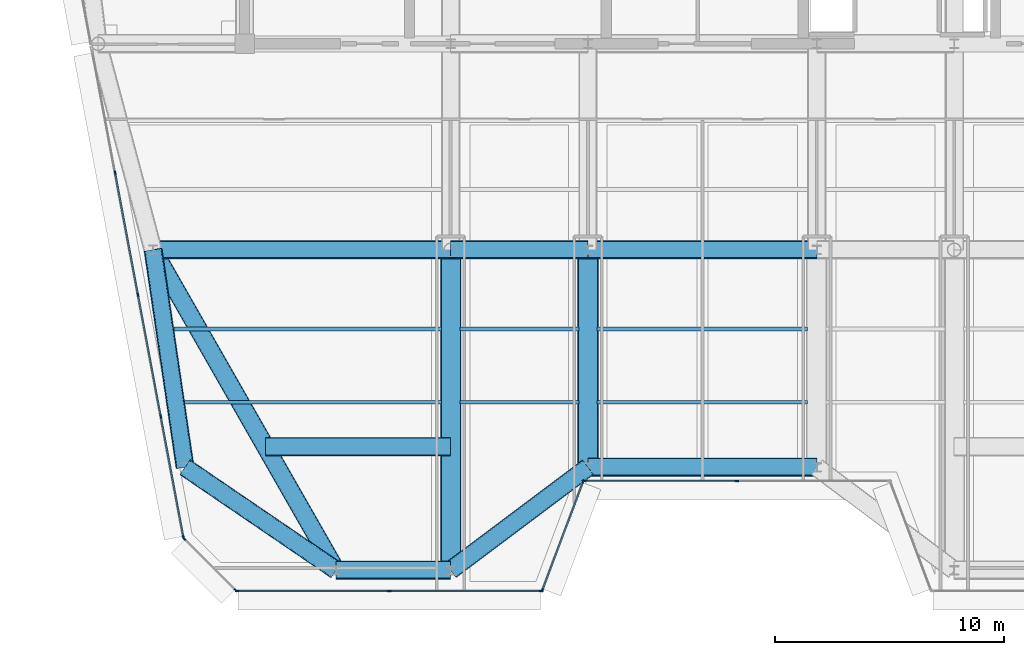
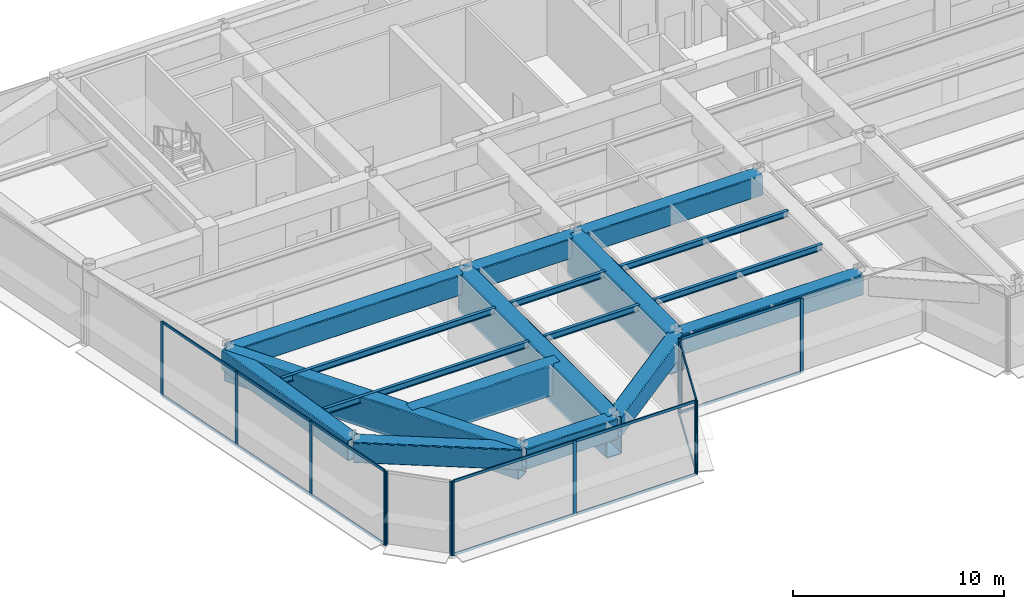
# One storey, part 3 of 20: 27 members, 18 beams, 5 elements without a shape of their own.
"""IFC4 building model written with IfcOpenShell, lengths in metres."""

from ifc_helpers import new_model, si_unit, direction, frame, origin, origin_2d, place, context, subcontext, project, spatial, rectangle, hollow_rectangle, i_section, extrude, source, transform, mapped, material, layer, layer_set, material_profile, profile_set, type_object, element, aggregate, save


model = new_model("IFC4")

# Units and contexts
model_context = context("Model", 3, precision=1e-05, world=origin(), true_north=direction((0.0, 1.0)))
body_context = subcontext(model_context, "Body", "Model", "MODEL_VIEW")
ifc_project = project(units=[si_unit("LENGTHUNIT", "METRE"), si_unit("AREAUNIT", "SQUARE_METRE"), si_unit("VOLUMEUNIT", "CUBIC_METRE"), si_unit("PLANEANGLEUNIT", "RADIAN"), si_unit("MASSUNIT", "GRAM", prefix="KILO")], contexts=[model_context])

# Site, building, storey
site_placement = place(None, origin())
site = spatial("IfcSite", under=ifc_project, at=site_placement, CompositionType="ELEMENT")
building_placement = place(site_placement, origin())
building = spatial("IfcBuilding", under=site, at=building_placement, Name="Vaeldorn Concourse Tower", CompositionType="ELEMENT")
storey_placement = place(building_placement, frame((0.0, 0.0, 299.199951171875)))
storey = spatial("IfcBuildingStorey", under=building, at=storey_placement, Name="L77", CompositionType="ELEMENT", Elevation=299.199951171875)

# Beams
ifc_material_1 = material(Name="Steel S460", Category="steel")
ifc_material_profile_1 = material_profile(ifc_material_1, hollow_rectangle(XDim=0.800048828125, YDim=1.199951171875, WallThickness=0.044921875, InnerFilletRadius=0.044921875, OuterFilletRadius=0.090087890625, at=origin_2d()), Name="RHS 1200x800x45")
ifc_profile_set_1 = profile_set([ifc_material_profile_1], Name="Steel S460")
beam_type_1 = type_object("IfcBeamType", Name="BM-TG-RHS1200", PredefinedType="BEAM", material=ifc_profile_set_1)
shared_shape_1 = source(origin(), body_context, "Body", "SweptSolid", [
    extrude(hollow_rectangle(XDim=0.800048828125, YDim=1.199951171875, WallThickness=0.044921875, InnerFilletRadius=0.044921875, OuterFilletRadius=0.090087890625, at=origin_2d()), origin(), (0.0, 0.0, 1.0), 6.0),
])
beam_1_placement = place(storey_placement, frame((23.0, 27.5, 3.699951171875), z_axis=(1.0, 0.0, 0.0), x_axis=(0.0, 1.0, 0.0)))
element("IfcBeam", 1, at=beam_1_placement, inside=storey, type_object=beam_type_1, Name="Beam BM-L77-C-TW1-C-TW2", PredefinedType="BEAM", context=body_context, shape_type="MappedRepresentation", body=[
    mapped(shared_shape_1, transform((0.0, 0.0, 0.0), scale=1.0)),
])
shared_shape_2 = source(origin(), body_context, "Body", "SweptSolid", [
    extrude(hollow_rectangle(XDim=0.800048828125, YDim=1.199951171875, WallThickness=0.044921875, InnerFilletRadius=0.044921875, OuterFilletRadius=0.090087890625, at=origin_2d()), origin(), (0.0, 0.0, 1.0), 10.0),
])
for number, where, z_axis, x_axis, name in (
    (2, (29.0, 27.5, 3.699951171875), (1.0, 0.0, 0.0), (0.0, 1.0, 0.0), "Beam BM-L77-C-TW2-C-TW3"),
    (3, (29.0, 18.0, 3.699951171875), (1.0, 0.0, 0.0), (0.0, 1.0, 0.0), "Beam BM-L77-C-SF3-C-SF4"),
):
    element("IfcBeam", number, at=place(storey_placement, frame(where, z_axis=z_axis, x_axis=x_axis)), inside=storey, type_object=beam_type_1, Name=name, PredefinedType="BEAM", context=body_context, shape_type="MappedRepresentation", body=[
        mapped(shared_shape_2, transform((0.0, 0.0, 0.0), scale=1.0)),
    ])
shared_shape_3 = source(origin(), body_context, "Body", "SweptSolid", [
    extrude(hollow_rectangle(XDim=0.800048828125, YDim=1.199951171875, WallThickness=0.044921875, InnerFilletRadius=0.044921875, OuterFilletRadius=0.090087890625, at=origin_2d()), origin(), (0.0, 0.0, 1.0), 13.0),
])
beam_2_placement = place(storey_placement, frame((10.0, 27.5, 3.699951171875), z_axis=(1.0, 0.0, 0.0), x_axis=(0.0, 1.0, 0.0)))
element("IfcBeam", 4, at=beam_2_placement, inside=storey, type_object=beam_type_1, Name="Beam BM-L77-C-FLW1-C-TW1", PredefinedType="BEAM", context=body_context, shape_type="MappedRepresentation", body=[
    mapped(shared_shape_3, transform((0.0, 0.0, 0.0), scale=1.0)),
])
shared_shape_4 = source(origin(), body_context, "Body", "SweptSolid", [
    extrude(hollow_rectangle(XDim=0.800048828125, YDim=1.199951171875, WallThickness=0.044921875, InnerFilletRadius=0.044921875, OuterFilletRadius=0.090087890625, at=origin_2d()), origin(), (0.0, 0.0, 1.0), 5.0),
])
beam_3_placement = place(storey_placement, frame((18.0, 13.5, 3.699951171875), z_axis=(1.0, 0.0, 0.0), x_axis=(0.0, 1.0, 0.0)))
element("IfcBeam", 5, at=beam_3_placement, inside=storey, type_object=beam_type_1, Name="Beam BM-L77-C-SF1-C-SF2", PredefinedType="BEAM", context=body_context, shape_type="MappedRepresentation", body=[
    mapped(shared_shape_4, transform((0.0, 0.0, 0.0), scale=1.0)),
])
shared_shape_5 = source(origin(), body_context, "Body", "SweptSolid", [
    extrude(hollow_rectangle(XDim=0.800048828125, YDim=1.199951171875, WallThickness=0.044921875, InnerFilletRadius=0.044921875, OuterFilletRadius=0.090087890625, at=origin_2d()), origin(), (0.0, 0.0, 1.0), 7.5),
])
beam_4_placement = place(storey_placement, frame((23.0, 13.5, 3.699951171875), z_axis=(0.8, 0.6, 0.0), x_axis=(-0.6, 0.8, 0.0)))
element("IfcBeam", 6, at=beam_4_placement, inside=storey, type_object=beam_type_1, Name="Beam BM-L77-C-SF2-C-SF3", PredefinedType="BEAM", context=body_context, shape_type="MappedRepresentation", body=[
    mapped(shared_shape_5, transform((0.0, 0.0, 0.0), scale=1.0)),
])
shared_shape_6 = source(origin(), body_context, "Body", "SweptSolid", [
    extrude(hollow_rectangle(XDim=0.800048828125, YDim=1.199951171875, WallThickness=0.044921875, InnerFilletRadius=0.044921875, OuterFilletRadius=0.090087890625, at=origin_2d()), origin(), (0.0, 0.0, 1.0), 9.6025390625),
])
beam_5_placement = place(storey_placement, frame((10.0, 27.5, 3.699951171875), z_axis=(0.145783835977, -0.989316467652, 0.0), x_axis=(0.989316467652, 0.145783835977, 0.0)))
element("IfcBeam", 7, at=beam_5_placement, inside=storey, type_object=beam_type_1, Name="Beam BM-L77-C-FLW1-C-FLW2", PredefinedType="BEAM", context=body_context, shape_type="MappedRepresentation", body=[
    mapped(shared_shape_6, transform((0.0, 0.0, 0.0), scale=1.0)),
])
ifc_material_2 = material(Name="Steel S355", Category="steel")
ifc_material_profile_2 = material_profile(ifc_material_2, i_section(OverallWidth=0.169921875, OverallDepth=0.360107421875, WebThickness=0.008056640625, FlangeThickness=0.0126953125, FilletRadius=0.01806640625, at=origin_2d()), Name="IPE 360")
ifc_profile_set_2 = profile_set([ifc_material_profile_2], Name="Steel S355")
beam_type_2 = type_object("IfcBeamType", Name="BM-JS-IPE360", PredefinedType="JOIST", material=ifc_profile_set_2)
shared_shape_7 = source(origin(), body_context, "Body", "SweptSolid", [
    extrude(i_section(OverallWidth=0.169921875, OverallDepth=0.360107421875, WebThickness=0.008056640625, FlangeThickness=0.0126953125, FilletRadius=0.01806640625, at=origin_2d()), origin(), (0.0, 0.0, 1.0), 5.2001953125),
])
for number, where, z_axis, x_axis, name in (
    (8, (23.39990234375, 20.840087890625, 4.1201171875), (1.0, 0.0, 0.0), (0.0, 1.0, 0.0), "Beam JS-L77-W2-208"),
    (9, (23.39990234375, 24.0400390625, 4.1201171875), (1.0, 0.0, 0.0), (0.0, 1.0, 0.0), "Beam JS-L77-W2-240"),
):
    element("IfcBeam", number, at=place(storey_placement, frame(where, z_axis=z_axis, x_axis=x_axis)), inside=storey, type_object=beam_type_2, Name=name, PredefinedType="JOIST", context=body_context, shape_type="MappedRepresentation", body=[
        mapped(shared_shape_7, transform((0.0, 0.0, 0.0), scale=1.0)),
    ])
shared_shape_8 = source(origin(), body_context, "Body", "SweptSolid", [
    extrude(i_section(OverallWidth=0.169921875, OverallDepth=0.360107421875, WebThickness=0.008056640625, FlangeThickness=0.0126953125, FilletRadius=0.01806640625, at=origin_2d()), origin(), (0.0, 0.0, 1.0), 9.2001953125),
])
for number, where, z_axis, x_axis, name in (
    (10, (29.39990234375, 20.840087890625, 4.1201171875), (1.0, 0.0, 0.0), (0.0, 1.0, 0.0), "Beam JS-L77-C-208"),
    (11, (29.39990234375, 24.0400390625, 4.1201171875), (1.0, 0.0, 0.0), (0.0, 1.0, 0.0), "Beam JS-L77-C-240"),
):
    element("IfcBeam", number, at=place(storey_placement, frame(where, z_axis=z_axis, x_axis=x_axis)), inside=storey, type_object=beam_type_2, Name=name, PredefinedType="JOIST", context=body_context, shape_type="MappedRepresentation", body=[
        mapped(shared_shape_8, transform((0.0, 0.0, 0.0), scale=1.0)),
    ])
ifc_material_profile_3 = material_profile(ifc_material_1, hollow_rectangle(XDim=0.89990234375, YDim=2.39990234375, WallThickness=0.06005859375, InnerFilletRadius=0.06005859375, OuterFilletRadius=0.1201171875, at=origin_2d()), Name="RHS 2400x900x60")
ifc_profile_set_3 = profile_set([ifc_material_profile_3], Name="Steel S460")
beam_type_3 = type_object("IfcBeamType", Name="BM-TG-BOX2400", PredefinedType="BEAM", material=ifc_profile_set_3)
shared_shape_9 = source(origin(), body_context, "Body", "SweptSolid", [
    extrude(hollow_rectangle(XDim=0.89990234375, YDim=2.39990234375, WallThickness=0.06005859375, InnerFilletRadius=0.06005859375, OuterFilletRadius=0.1201171875, at=origin_2d()), origin(), (0.0, 0.0, 1.0), 14.0),
])
beam_6_placement = place(storey_placement, frame((23.0, 13.5, 3.10009765625), z_axis=(0.0, 1.0, 0.0), x_axis=(-1.0, 0.0, 0.0)))
element("IfcBeam", 12, at=beam_6_placement, inside=storey, type_object=beam_type_3, Name="Beam BM-SETBACK-L77-C-SF2", PredefinedType="BEAM", context=body_context, shape_type="MappedRepresentation", body=[
    mapped(shared_shape_9, transform((0.0, 0.0, 0.0), scale=1.0)),
])
shared_shape_10 = source(origin(), body_context, "Body", "SweptSolid", [
    extrude(hollow_rectangle(XDim=0.89990234375, YDim=2.39990234375, WallThickness=0.06005859375, InnerFilletRadius=0.06005859375, OuterFilletRadius=0.1201171875, at=origin_2d()), origin(), (0.0, 0.0, 1.0), 9.5),
])
beam_7_placement = place(storey_placement, frame((29.0, 18.0, 3.10009765625), z_axis=(0.0, 1.0, 0.0), x_axis=(-1.0, 0.0, 0.0)))
element("IfcBeam", 13, at=beam_7_placement, inside=storey, type_object=beam_type_3, Name="Beam BM-SETBACK-L77-C-SF3", PredefinedType="BEAM", context=body_context, shape_type="MappedRepresentation", body=[
    mapped(shared_shape_10, transform((0.0, 0.0, 0.0), scale=1.0)),
])
ifc_material_profile_4 = material_profile(ifc_material_1, hollow_rectangle(XDim=0.800048828125, YDim=1.800048828125, WallThickness=0.050048828125, InnerFilletRadius=0.050048828125, OuterFilletRadius=0.10009765625, at=origin_2d()), Name="RHS 1800x800x50")
ifc_profile_set_4 = profile_set([ifc_material_profile_4], Name="Steel S460")
beam_type_4 = type_object("IfcBeamType", Name="BM-TG-BOX1800", PredefinedType="BEAM", material=ifc_profile_set_4)
shared_shape_11 = source(origin(), body_context, "Body", "SweptSolid", [
    extrude(hollow_rectangle(XDim=0.800048828125, YDim=1.800048828125, WallThickness=0.050048828125, InnerFilletRadius=0.050048828125, OuterFilletRadius=0.10009765625, at=origin_2d()), origin(), (0.0, 0.0, 1.0), 16.12451171875),
])
beam_8_placement = place(storey_placement, frame((18.0, 13.5, 3.400146484375), z_axis=(-0.496138938357, 0.868243142124, 0.0), x_axis=(-0.868243142124, -0.496138938357, 0.0)))
element("IfcBeam", 14, at=beam_8_placement, inside=storey, type_object=beam_type_4, Name="Beam BM-SETBACK-FL-L77-C-SF1", PredefinedType="BEAM", context=body_context, shape_type="MappedRepresentation", body=[
    mapped(shared_shape_11, transform((0.0, 0.0, 0.0), scale=1.0)),
])
shared_shape_12 = source(origin(), body_context, "Body", "SweptSolid", [
    extrude(hollow_rectangle(XDim=0.800048828125, YDim=1.800048828125, WallThickness=0.050048828125, InnerFilletRadius=0.050048828125, OuterFilletRadius=0.10009765625, at=origin_2d()), origin(), (0.0, 0.0, 1.0), 8.085693359375),
])
beam_9_placement = place(storey_placement, frame((14.914306640625, 18.89990234375, 3.400146484375), z_axis=(1.0, 0.0, 0.0), x_axis=(0.0, 1.0, 0.0)))
element("IfcBeam", 15, at=beam_9_placement, inside=storey, type_object=beam_type_4, Name="Beam BM-SETBACK-EW-L77-C-SF1", PredefinedType="BEAM", context=body_context, shape_type="MappedRepresentation", body=[
    mapped(shared_shape_12, transform((0.0, 0.0, 0.0), scale=1.0)),
])
shared_shape_13 = source(origin(), body_context, "Body", "SweptSolid", [
    extrude(hollow_rectangle(XDim=0.800048828125, YDim=1.199951171875, WallThickness=0.044921875, InnerFilletRadius=0.044921875, OuterFilletRadius=0.090087890625, at=origin_2d()), origin(), (0.0, 0.0, 1.0), 7.98828125),
])
beam_10_placement = place(storey_placement, frame((18.0, 13.5, 3.699951171875), z_axis=(-0.826231222393, 0.56333113454, 0.0), x_axis=(-0.56333113454, -0.826231222393, 0.0)))
element("IfcBeam", 16, at=beam_10_placement, inside=storey, type_object=beam_type_1, Name="Beam BM-L77-C-SF1-C-FLW2", PredefinedType="BEAM", context=body_context, shape_type="MappedRepresentation", body=[
    mapped(shared_shape_13, transform((0.0, 0.0, 0.0), scale=1.0)),
])
shared_shape_14 = source(origin(), body_context, "Body", "SweptSolid", [
    extrude(i_section(OverallWidth=0.169921875, OverallDepth=0.360107421875, WebThickness=0.008056640625, FlangeThickness=0.0126953125, FilletRadius=0.01806640625, at=origin_2d()), origin(), (0.0, 0.0, 1.0), 11.218505859375),
])
beam_11_placement = place(storey_placement, frame((11.381591796875, 20.840087890625, 4.1201171875), z_axis=(1.0, 0.0, 0.0), x_axis=(0.0, 1.0, 0.0)))
element("IfcBeam", 17, at=beam_11_placement, inside=storey, type_object=beam_type_2, Name="Beam JS-L77-W1-208", PredefinedType="JOIST", context=body_context, shape_type="MappedRepresentation", body=[
    mapped(shared_shape_14, transform((0.0, 0.0, 0.0), scale=1.0)),
])
shared_shape_15 = source(origin(), body_context, "Body", "SweptSolid", [
    extrude(i_section(OverallWidth=0.169921875, OverallDepth=0.360107421875, WebThickness=0.008056640625, FlangeThickness=0.0126953125, FilletRadius=0.01806640625, at=origin_2d()), origin(), (0.0, 0.0, 1.0), 11.690185546875),
])
beam_12_placement = place(storey_placement, frame((10.909912109375, 24.0400390625, 4.1201171875), z_axis=(1.0, 0.0, 0.0), x_axis=(0.0, 1.0, 0.0)))
element("IfcBeam", 18, at=beam_12_placement, inside=storey, type_object=beam_type_2, Name="Beam JS-L77-W1-240", PredefinedType="JOIST", context=body_context, shape_type="MappedRepresentation", body=[
    mapped(shared_shape_15, transform((0.0, 0.0, 0.0), scale=1.0)),
])

# Curtain wall, members
ifc_material_3 = material(Name="Anodised Bronze Aluminium", Category="aluminium")
ifc_layer = layer(ifc_material_3, 0.179931640625)
ifc_layer_set = layer_set([ifc_layer], Name="Anodised Bronze Aluminium")
curtain_wall_type = type_object("IfcCurtainWallType", Name="CW-SYS-05", PredefinedType="NOTDEFINED", material=ifc_layer_set)
curtain_wall_1_placement = place(storey_placement, origin())
curtain_wall_1 = element("IfcCurtainWall", 19, at=curtain_wall_1_placement, inside=storey, type_object=curtain_wall_type, Name="Unitised Curtain Wall CW-L77-E02-1", PredefinedType="NOTDEFINED")
ifc_material_profile_5 = material_profile(ifc_material_3, rectangle(XDim=0.06494140625, YDim=0.14990234375, at=origin_2d()), Name="CWT 65x150")
ifc_profile_set_5 = profile_set([ifc_material_profile_5], Name="Anodised Bronze Aluminium")
member_type_1 = type_object("IfcMemberType", Name="CWT-BRONZE-150", PredefinedType="USERDEFINED", material=ifc_profile_set_5)
shared_shape_16 = source(origin(), body_context, "Body", "SweptSolid", [
    extrude(rectangle(XDim=0.06494140625, YDim=0.14990234375, at=origin_2d()), origin(), (0.0, 0.0, 1.0), 4.996337890625),
])
member_1_placement = place(storey_placement, frame((27.022705078125, 12.660888671875, 0.032470703125), z_axis=(0.351134151405, 0.936325161318, 0.0), x_axis=(-0.936325161318, 0.351134151405, 0.0)))
member_1 = element("IfcMember", 20, at=member_1_placement, type_object=member_type_1, Name="CW-05 transom 1.1", ObjectType="TRANSOM", PredefinedType="USERDEFINED", context=body_context, shape_type="MappedRepresentation", body=[
    mapped(shared_shape_16, transform((0.0, 0.0, 0.0), scale=1.0)),
])
member_2_placement = place(storey_placement, frame((27.022705078125, 12.660888671875, 4.267578125), z_axis=(0.351134151405, 0.936325161318, 0.0), x_axis=(-0.936325161318, 0.351134151405, 0.0)))
member_2 = element("IfcMember", 21, at=member_2_placement, type_object=member_type_1, Name="CW-05 transom 1.2", ObjectType="TRANSOM", PredefinedType="USERDEFINED", context=body_context, shape_type="MappedRepresentation", body=[
    mapped(shared_shape_16, transform((0.0, 0.0, 0.0), scale=1.0)),
])

curtain_wall_2_placement = place(storey_placement, origin())
curtain_wall_2 = element("IfcCurtainWall", 22, at=curtain_wall_2_placement, inside=storey, type_object=curtain_wall_type, Name="Unitised Curtain Wall CW-L77-E03-1", PredefinedType="NOTDEFINED")
shared_shape_17 = source(origin(), body_context, "Body", "SweptSolid", [
    extrude(rectangle(XDim=0.06494140625, YDim=0.14990234375, at=origin_2d()), origin(), (0.0, 0.0, 1.0), 6.6025390625),
])
member_3_placement = place(storey_placement, frame((28.864990234375, 17.39990234375, 0.032470703125), z_axis=(1.0, 0.0, 0.0), x_axis=(0.0, 1.0, 0.0)))
member_3 = element("IfcMember", 23, at=member_3_placement, type_object=member_type_1, Name="CW-05 transom 1.1", ObjectType="TRANSOM", PredefinedType="USERDEFINED", context=body_context, shape_type="MappedRepresentation", body=[
    mapped(shared_shape_17, transform((0.0, 0.0, 0.0), scale=1.0)),
])
member_4_placement = place(storey_placement, frame((28.864990234375, 17.39990234375, 4.267578125), z_axis=(1.0, 0.0, 0.0), x_axis=(0.0, 1.0, 0.0)))
member_4 = element("IfcMember", 24, at=member_4_placement, type_object=member_type_1, Name="CW-05 transom 1.2", ObjectType="TRANSOM", PredefinedType="USERDEFINED", context=body_context, shape_type="MappedRepresentation", body=[
    mapped(shared_shape_17, transform((0.0, 0.0, 0.0), scale=1.0)),
])

curtain_wall_3_placement = place(storey_placement, origin())
curtain_wall_3 = element("IfcCurtainWall", 25, at=curtain_wall_3_placement, inside=storey, type_object=curtain_wall_type, Name="Unitised Curtain Wall CW-L77-E11-2", PredefinedType="NOTDEFINED")
shared_shape_18 = source(origin(), body_context, "Body", "SweptSolid", [
    extrude(rectangle(XDim=0.06494140625, YDim=0.14990234375, at=origin_2d()), origin(), (0.0, 0.0, 1.0), 5.31640625),
])
member_5_placement = place(storey_placement, frame((10.344482421875, 20.189208984375, 0.032470703125), z_axis=(0.184241399207, -0.982881023735, 0.0), x_axis=(0.982881023735, 0.184241399207, 0.0)))
member_5 = element("IfcMember", 26, at=member_5_placement, type_object=member_type_1, Name="CW-05 transom 4.1", ObjectType="TRANSOM", PredefinedType="USERDEFINED", context=body_context, shape_type="MappedRepresentation", body=[
    mapped(shared_shape_18, transform((0.0, 0.0, 0.0), scale=1.0)),
])
member_6_placement = place(storey_placement, frame((10.344482421875, 20.189208984375, 4.267578125), z_axis=(0.184241399207, -0.982881023735, 0.0), x_axis=(0.982881023735, 0.184241399207, 0.0)))
member_6 = element("IfcMember", 27, at=member_6_placement, type_object=member_type_1, Name="CW-05 transom 4.2", ObjectType="TRANSOM", PredefinedType="USERDEFINED", context=body_context, shape_type="MappedRepresentation", body=[
    mapped(shared_shape_18, transform((0.0, 0.0, 0.0), scale=1.0)),
])
shared_shape_19 = source(origin(), body_context, "Body", "SweptSolid", [
    extrude(rectangle(XDim=0.06494140625, YDim=0.14990234375, at=origin_2d()), origin(), (0.0, 0.0, 1.0), 5.348876953125),
])
member_7_placement = place(storey_placement, frame((8.349609375, 30.831787109375, 0.032470703125), z_axis=(0.184216882988, -0.982885618993, 0.0), x_axis=(0.982885618993, 0.184216882988, 0.0)))
member_7 = element("IfcMember", 28, at=member_7_placement, type_object=member_type_1, Name="CW-05 transom 2.1", ObjectType="TRANSOM", PredefinedType="USERDEFINED", context=body_context, shape_type="MappedRepresentation", body=[
    mapped(shared_shape_19, transform((0.0, 0.0, 0.0), scale=1.0)),
])
member_8_placement = place(storey_placement, frame((8.349609375, 30.831787109375, 4.267578125), z_axis=(0.184216882988, -0.982885618993, 0.0), x_axis=(0.982885618993, 0.184216882988, 0.0)))
member_8 = element("IfcMember", 29, at=member_8_placement, type_object=member_type_1, Name="CW-05 transom 2.2", ObjectType="TRANSOM", PredefinedType="USERDEFINED", context=body_context, shape_type="MappedRepresentation", body=[
    mapped(shared_shape_19, transform((0.0, 0.0, 0.0), scale=1.0)),
])
member_9_placement = place(storey_placement, frame((9.346923828125, 25.510498046875, 0.032470703125), z_axis=(0.184260976912, -0.982877353685, 0.0), x_axis=(0.982877353685, 0.184260976912, 0.0)))
member_9 = element("IfcMember", 30, at=member_9_placement, type_object=member_type_1, Name="CW-05 transom 3.1", ObjectType="TRANSOM", PredefinedType="USERDEFINED", context=body_context, shape_type="MappedRepresentation", body=[
    mapped(shared_shape_19, transform((0.0, 0.0, 0.0), scale=1.0)),
])
member_10_placement = place(storey_placement, frame((9.346923828125, 25.510498046875, 4.267578125), z_axis=(0.184260976912, -0.982877353685, 0.0), x_axis=(0.982877353685, 0.184260976912, 0.0)))
member_10 = element("IfcMember", 31, at=member_10_placement, type_object=member_type_1, Name="CW-05 transom 3.2", ObjectType="TRANSOM", PredefinedType="USERDEFINED", context=body_context, shape_type="MappedRepresentation", body=[
    mapped(shared_shape_19, transform((0.0, 0.0, 0.0), scale=1.0)),
])

curtain_wall_4_placement = place(storey_placement, origin())
curtain_wall_4 = element("IfcCurtainWall", 32, at=curtain_wall_4_placement, inside=storey, type_object=curtain_wall_type, Name="Unitised Curtain Wall CW-L77-E01-1", PredefinedType="NOTDEFINED")
shared_shape_20 = source(origin(), body_context, "Body", "SweptSolid", [
    extrude(rectangle(XDim=0.06494140625, YDim=0.14990234375, at=origin_2d()), origin(), (0.0, 0.0, 1.0), 6.58447265625),
])
member_11_placement = place(storey_placement, frame((13.700927734375, 12.60009765625, 0.032470703125), z_axis=(1.0, 0.0, 0.0), x_axis=(0.0, 1.0, 0.0)))
member_11 = element("IfcMember", 33, at=member_11_placement, type_object=member_type_1, Name="CW-05 transom 1.1", ObjectType="TRANSOM", PredefinedType="USERDEFINED", context=body_context, shape_type="MappedRepresentation", body=[
    mapped(shared_shape_20, transform((0.0, 0.0, 0.0), scale=1.0)),
])
member_12_placement = place(storey_placement, frame((13.700927734375, 12.60009765625, 4.267578125), z_axis=(1.0, 0.0, 0.0), x_axis=(0.0, 1.0, 0.0)))
member_12 = element("IfcMember", 34, at=member_12_placement, type_object=member_type_1, Name="CW-05 transom 1.2", ObjectType="TRANSOM", PredefinedType="USERDEFINED", context=body_context, shape_type="MappedRepresentation", body=[
    mapped(shared_shape_20, transform((0.0, 0.0, 0.0), scale=1.0)),
])
member_13_placement = place(storey_placement, frame((20.3505859375, 12.60009765625, 0.032470703125), z_axis=(1.0, 0.0, 0.0), x_axis=(0.0, 1.0, 0.0)))
member_13 = element("IfcMember", 35, at=member_13_placement, type_object=member_type_1, Name="CW-05 transom 2.1", ObjectType="TRANSOM", PredefinedType="USERDEFINED", context=body_context, shape_type="MappedRepresentation", body=[
    mapped(shared_shape_20, transform((0.0, 0.0, 0.0), scale=1.0)),
])
member_14_placement = place(storey_placement, frame((20.3505859375, 12.60009765625, 4.267578125), z_axis=(1.0, 0.0, 0.0), x_axis=(0.0, 1.0, 0.0)))
member_14 = element("IfcMember", 36, at=member_14_placement, type_object=member_type_1, Name="CW-05 transom 2.2", ObjectType="TRANSOM", PredefinedType="USERDEFINED", context=body_context, shape_type="MappedRepresentation", body=[
    mapped(shared_shape_20, transform((0.0, 0.0, 0.0), scale=1.0)),
])
ifc_material_profile_6 = material_profile(ifc_material_3, rectangle(XDim=0.06494140625, YDim=0.169921875, at=origin_2d()), Name="CWM 65x170")
ifc_profile_set_6 = profile_set([ifc_material_profile_6], Name="Anodised Bronze Aluminium")
member_type_2 = type_object("IfcMemberType", Name="CWM-BRONZE-170", PredefinedType="MULLION", material=ifc_profile_set_6)
shared_shape_21 = source(origin(), body_context, "Body", "SweptSolid", [
    extrude(rectangle(XDim=0.06494140625, YDim=0.169921875, at=origin_2d()), origin(), (0.0, 0.0, 1.0), 4.300048828125),
])
member_15_placement = place(storey_placement, frame((13.66845703125, 12.60009765625, 0.0), z_axis=(0.0, 0.0, 1.0), x_axis=(0.0, 1.0, 0.0)))
member_15 = element("IfcMember", 37, at=member_15_placement, type_object=member_type_2, Name="CW-05 mullion 1", PredefinedType="MULLION", context=body_context, shape_type="MappedRepresentation", body=[
    mapped(shared_shape_21, transform((0.0, 0.0, 0.0), scale=1.0)),
])
member_16_placement = place(storey_placement, frame((20.318115234375, 12.60009765625, 0.0), z_axis=(0.0, 0.0, 1.0), x_axis=(0.0, 1.0, 0.0)))
member_16 = element("IfcMember", 38, at=member_16_placement, type_object=member_type_2, Name="CW-05 mullion 2", PredefinedType="MULLION", context=body_context, shape_type="MappedRepresentation", body=[
    mapped(shared_shape_21, transform((0.0, 0.0, 0.0), scale=1.0)),
])
member_17_placement = place(storey_placement, frame((26.967529296875, 12.60009765625, 0.0), z_axis=(0.0, 0.0, 1.0), x_axis=(0.0, 1.0, 0.0)))
member_17 = element("IfcMember", 39, at=member_17_placement, type_object=member_type_2, Name="CW-05 mullion 3", PredefinedType="MULLION", context=body_context, shape_type="MappedRepresentation", body=[
    mapped(shared_shape_21, transform((0.0, 0.0, 0.0), scale=1.0)),
])
aggregate(curtain_wall_4, [member_15, member_16, member_17, member_11, member_12, member_13, member_14])

# Member
member_18_placement = place(storey_placement, frame((27.011474609375, 12.63037109375, 0.0), z_axis=(0.0, 0.0, 1.0), x_axis=(-0.936329177566, 0.351123441595, 0.0)))
member_18 = element("IfcMember", 40, at=member_18_placement, type_object=member_type_2, Name="CW-05 mullion 1", PredefinedType="MULLION", context=body_context, shape_type="MappedRepresentation", body=[
    mapped(shared_shape_21, transform((0.0, 0.0, 0.0), scale=1.0)),
])

member_19_placement = place(storey_placement, frame((28.78857421875, 17.36962890625, 0.0), z_axis=(0.0, 0.0, 1.0), x_axis=(-0.936329177566, 0.351123441595, 0.0)))
member_19 = element("IfcMember", 41, at=member_19_placement, type_object=member_type_2, Name="CW-05 mullion 2", PredefinedType="MULLION", context=body_context, shape_type="MappedRepresentation", body=[
    mapped(shared_shape_21, transform((0.0, 0.0, 0.0), scale=1.0)),
])

aggregate(curtain_wall_1, [member_18, member_19, member_1, member_2])

member_20_placement = place(storey_placement, frame((28.83251953125, 17.39990234375, 0.0), z_axis=(0.0, 0.0, 1.0), x_axis=(0.0, 1.0, 0.0)))
member_20 = element("IfcMember", 42, at=member_20_placement, type_object=member_type_2, Name="CW-05 mullion 1", PredefinedType="MULLION", context=body_context, shape_type="MappedRepresentation", body=[
    mapped(shared_shape_21, transform((0.0, 0.0, 0.0), scale=1.0)),
])

member_21_placement = place(storey_placement, frame((35.5, 17.39990234375, 0.0), z_axis=(0.0, 0.0, 1.0), x_axis=(0.0, 1.0, 0.0)))
member_21 = element("IfcMember", 43, at=member_21_placement, type_object=member_type_2, Name="CW-05 mullion 2", PredefinedType="MULLION", context=body_context, shape_type="MappedRepresentation", body=[
    mapped(shared_shape_21, transform((0.0, 0.0, 0.0), scale=1.0)),
])

aggregate(curtain_wall_2, [member_20, member_21, member_3, member_4])

member_22_placement = place(storey_placement, frame((8.343505859375, 30.86376953125, 0.0), z_axis=(0.0, 0.0, 1.0), x_axis=(0.982880027444, 0.184246714088, 0.0)))
member_22 = element("IfcMember", 44, at=member_22_placement, type_object=member_type_2, Name="CW-05 mullion 2", PredefinedType="MULLION", context=body_context, shape_type="MappedRepresentation", body=[
    mapped(shared_shape_21, transform((0.0, 0.0, 0.0), scale=1.0)),
])

member_23_placement = place(storey_placement, frame((9.341064453125, 25.54248046875, 0.0), z_axis=(0.0, 0.0, 1.0), x_axis=(0.982880027444, 0.184246714088, 0.0)))
member_23 = element("IfcMember", 45, at=member_23_placement, type_object=member_type_2, Name="CW-05 mullion 3", PredefinedType="MULLION", context=body_context, shape_type="MappedRepresentation", body=[
    mapped(shared_shape_21, transform((0.0, 0.0, 0.0), scale=1.0)),
])

member_24_placement = place(storey_placement, frame((10.33837890625, 20.22119140625, 0.0), z_axis=(0.0, 0.0, 1.0), x_axis=(0.982880027444, 0.184246714088, 0.0)))
member_24 = element("IfcMember", 46, at=member_24_placement, type_object=member_type_2, Name="CW-05 mullion 4", PredefinedType="MULLION", context=body_context, shape_type="MappedRepresentation", body=[
    mapped(shared_shape_21, transform((0.0, 0.0, 0.0), scale=1.0)),
])

member_25_placement = place(storey_placement, frame((11.330078125, 14.931884765625, 0.0), z_axis=(0.0, 0.0, 1.0), x_axis=(0.982880027444, 0.184246714088, 0.0)))
member_25 = element("IfcMember", 47, at=member_25_placement, type_object=member_type_2, Name="CW-05 mullion 5", PredefinedType="MULLION", context=body_context, shape_type="MappedRepresentation", body=[
    mapped(shared_shape_21, transform((0.0, 0.0, 0.0), scale=1.0)),
])

aggregate(curtain_wall_3, [member_22, member_23, member_24, member_25, member_7, member_8, member_9, member_10, member_5, member_6])

# Curtain wall, members
curtain_wall_5_placement = place(storey_placement, origin())
curtain_wall_5 = element("IfcCurtainWall", 48, at=curtain_wall_5_placement, inside=storey, type_object=curtain_wall_type, Name="Unitised Curtain Wall CW-L77-E12-1", PredefinedType="NOTDEFINED")
member_26_placement = place(storey_placement, frame((11.35888671875, 14.876953125, 0.0), z_axis=(0.0, 0.0, 1.0), x_axis=(0.707106781187, 0.707106781187, 0.0)))
member_26 = element("IfcMember", 49, at=member_26_placement, type_object=member_type_2, Name="CW-05 mullion 1", PredefinedType="MULLION", context=body_context, shape_type="MappedRepresentation", body=[
    mapped(shared_shape_21, transform((0.0, 0.0, 0.0), scale=1.0)),
])
member_27_placement = place(storey_placement, frame((13.613037109375, 12.623046875, 0.0), z_axis=(0.0, 0.0, 1.0), x_axis=(0.707106781187, 0.707106781187, 0.0)))
member_27 = element("IfcMember", 50, at=member_27_placement, type_object=member_type_2, Name="CW-05 mullion 2", PredefinedType="MULLION", context=body_context, shape_type="MappedRepresentation", body=[
    mapped(shared_shape_21, transform((0.0, 0.0, 0.0), scale=1.0)),
])
aggregate(curtain_wall_5, [member_26, member_27])

save(model, "model.ifc")
